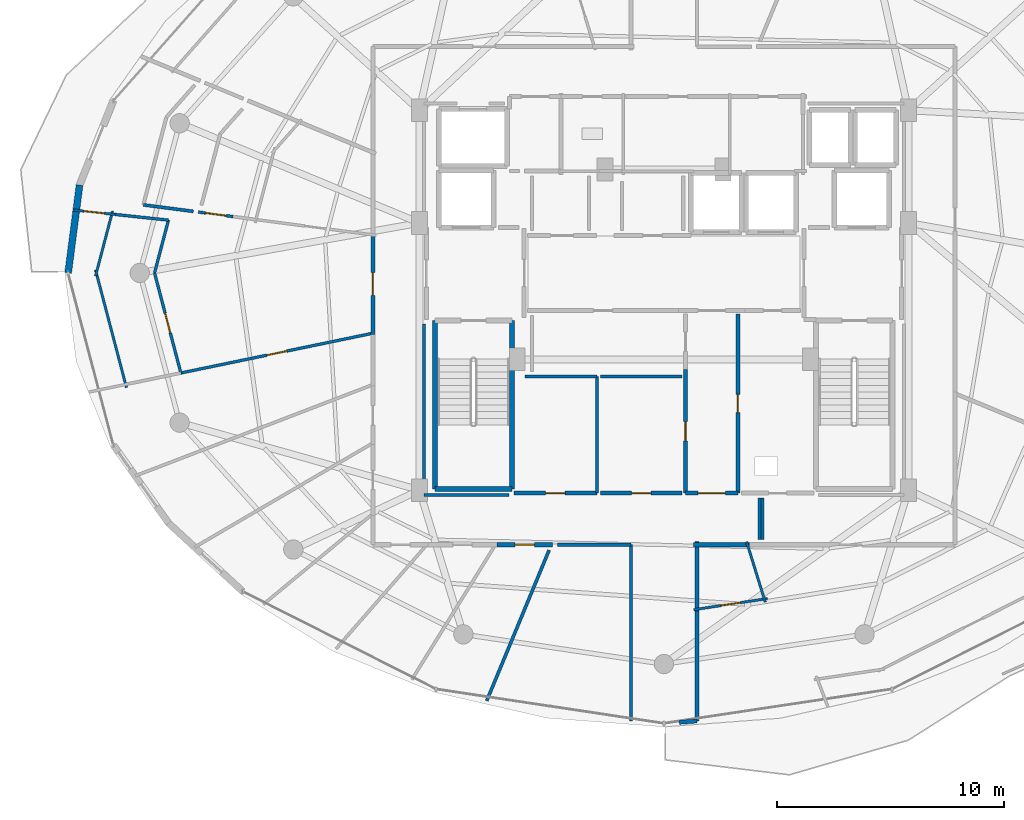
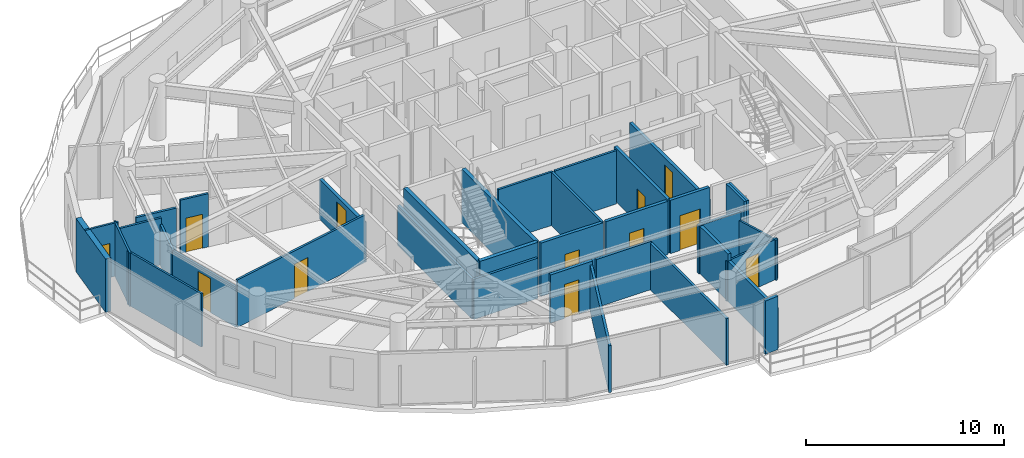
# One storey, part 22 of 30: 36 walls, 12 doors, 12 openings.
"""IFC4 building model written with IfcOpenShell, lengths in metres."""

from ifc_helpers import new_model, si_unit, direction, frame, frame_2d, origin, place, context, subcontext, project, spatial, rectangle, extrude, material, layer, layer_set, type_object, element, fill, save


model = new_model("IFC4")

# Units and contexts
model_context = context("Model", 3, precision=1e-05, world=origin(), true_north=direction((0.0, 1.0)))
body_context = subcontext(model_context, "Body", "Model", "MODEL_VIEW")
ifc_project = project(units=[si_unit("LENGTHUNIT", "METRE"), si_unit("AREAUNIT", "SQUARE_METRE"), si_unit("VOLUMEUNIT", "CUBIC_METRE"), si_unit("PLANEANGLEUNIT", "RADIAN"), si_unit("MASSUNIT", "GRAM", prefix="KILO")], contexts=[model_context])

# Site, building, storey
site_placement = place(None, origin())
site = spatial("IfcSite", under=ifc_project, at=site_placement, CompositionType="ELEMENT")
building_placement = place(site_placement, origin())
building = spatial("IfcBuilding", under=site, at=building_placement, Name="Vorneva Point Tower", CompositionType="ELEMENT")
storey_placement = place(building_placement, frame((0.0, 0.0, 234.25)))
storey = spatial("IfcBuildingStorey", under=building, at=storey_placement, Name="L63", CompositionType="ELEMENT", Elevation=234.25)

# Wall
ifc_material_1 = material(Name="Precast concrete B50 (C40/50)", Category="concrete")
ifc_layer_1 = layer(ifc_material_1, 0.300048828125)
ifc_layer_set_1 = layer_set([ifc_layer_1], Name="Precast concrete B50 (C40/50)")
wall_type_1 = type_object("IfcWallType", Name="WL-EXT-300", PredefinedType="STANDARD", material=ifc_layer_set_1)
wall_1_placement = place(storey_placement, frame((12.303466796875, 29.86474609375, 0.0), z_axis=(0.0, 0.0, 1.0), x_axis=(-0.129167789917, -0.991622751881, 0.0)))
element("IfcWall", 1, at=wall_1_placement, inside=storey, type_object=wall_type_1, Name="L63 Pale-Metal Facade Spandrel Wall 08.2", PredefinedType="STANDARD", context=body_context, shape_type="SweptSolid", body=[
    extrude(rectangle(XDim=3.8974609375, YDim=0.300048828125, at=frame_2d((1.94873046875, 0.0))), origin(), (0.0, 0.0, 1.0), 3.2900390625),
])

# Wall, opening, door
ifc_material_2 = material(Name="Fire-rated acoustic gypsum stud partition", Category="gypsum")
ifc_layer_2 = layer(ifc_material_2, 0.110107421875)
ifc_layer_set_2 = layer_set([ifc_layer_2], Name="Fire-rated acoustic gypsum stud partition")
wall_type_2 = type_object("IfcWallType", Name="WL-PART-110", PredefinedType="PARTITIONING", material=ifc_layer_set_2)
wall_2_placement = place(storey_placement, frame((12.020751953125, 28.768798828125, 0.0), z_axis=(0.0, 0.0, 1.0), x_axis=(0.994395705484, -0.105722187429, 0.0)))
wall_2 = element("IfcWall", 2, at=wall_2_placement, inside=storey, type_object=wall_type_2, Name="L63 Interior Partition 069", PredefinedType="PARTITIONING", context=body_context, shape_type="SweptSolid", body=[
    extrude(rectangle(XDim=1.849609375, YDim=0.110107421875, at=frame_2d((0.9248046875, 0.0))), origin(), (0.0, 0.0, 1.0), 3.2900390625),
])
opening_1_placement = place(wall_2_placement, frame((0.474853515625, 0.0, 0.0)))
opening_1 = element("IfcOpeningElement", 3, at=opening_1_placement, cuts=wall_2, Name="Opening ID-01", PredefinedType="OPENING", context=body_context, shape_type="SweptSolid", body=[
    extrude(rectangle(XDim=0.89990234375, YDim=2.10009765625, at=frame_2d((0.449951171875, 1.050048828125))), frame((0.0, 0.06982421875, 0.0), z_axis=(0.0, -1.0, 0.0), x_axis=(1.0, 0.0, 0.0)), (0.0, 0.0, 1.0), 0.139892578125),
])
ifc_material_3 = material(Name="Engineered oak fire-rated door leaf", Category="wood")
door_type_1 = type_object("IfcDoorType", Name="DR-ROOM-900", OperationType="NOTDEFINED", PredefinedType="DOOR", material=ifc_material_3)
door_1_placement = place(opening_1_placement, origin())
door_1 = element("IfcDoor", 4, at=door_1_placement, inside=storey, type_object=door_type_1, Name="L63 Door Living and Dining Room L63-02 / Kitchen L63-02", OperationType="SINGLE_SWING_LEFT", OverallHeight=2.10009765625, OverallWidth=0.89990234375, PredefinedType="DOOR", context=body_context, shape_type="SweptSolid", body=[
    extrude(rectangle(XDim=0.89990234375, YDim=2.10009765625, at=frame_2d((0.449951171875, 1.050048828125))), frame((0.0, 0.02490234375, 0.0), z_axis=(0.0, -1.0, 0.0), x_axis=(1.0, 0.0, 0.0)), (0.0, 0.0, 1.0), 0.050048828125),
])
fill(opening_1, door_1)

# Walls
wall_3_placement = place(storey_placement, frame((14.364501953125, 20.962646484375, 0.0), z_axis=(0.0, 0.0, 1.0), x_axis=(-0.254288836667, 0.967128320104, 0.0)))
element("IfcWall", 5, at=wall_3_placement, inside=storey, type_object=wall_type_2, Name="L63 Interior Partition 077", PredefinedType="PARTITIONING", context=body_context, shape_type="SweptSolid", body=[
    extrude(rectangle(XDim=5.3486328125, YDim=0.110107421875, at=frame_2d((2.67431640625, 0.0))), origin(), (0.0, 0.0, 1.0), 3.2900390625),
])
wall_4_placement = place(storey_placement, frame((13.00439453125, 25.864501953125, 0.0), z_axis=(0.0, 0.0, 1.0), x_axis=(0.254448582557, 0.967086303716, 0.0)))
element("IfcWall", 6, at=wall_4_placement, inside=storey, type_object=wall_type_2, Name="L63 Interior Partition 078", PredefinedType="PARTITIONING", context=body_context, shape_type="SweptSolid", body=[
    extrude(rectangle(XDim=2.956298828125, YDim=0.110107421875, at=frame_2d((1.47802734375, 0.0))), origin(), (0.0, 0.0, 1.0), 3.2900390625),
])
wall_5_placement = place(storey_placement, frame((41.634765625, 14.183837890625, 0.0), z_axis=(0.0, 0.0, 1.0), x_axis=(0.294283258928, -0.955718244837, 0.0)))
element("IfcWall", 7, at=wall_5_placement, inside=storey, type_object=wall_type_2, Name="L63 Interior Partition 085", PredefinedType="PARTITIONING", context=body_context, shape_type="SweptSolid", body=[
    extrude(rectangle(XDim=2.78076171875, YDim=0.110107421875, at=frame_2d((1.390380859375, 0.0))), origin(), (0.0, 0.0, 1.0), 2.48193359375),
])

# Wall, opening, door
wall_6_placement = place(storey_placement, frame((42.55029296875, 11.680908203125, 0.0), z_axis=(0.0, 0.0, 1.0), x_axis=(-0.98884760338, -0.148930914485, 0.0)))
wall_6 = element("IfcWall", 8, at=wall_6_placement, inside=storey, type_object=wall_type_2, Name="L63 Interior Partition 086", PredefinedType="PARTITIONING", context=body_context, shape_type="SweptSolid", body=[
    extrude(rectangle(XDim=3.275390625, YDim=0.110107421875, at=frame_2d((1.6376953125, 0.0))), origin(), (0.0, 0.0, 1.0), 2.48193359375),
])
opening_2_placement = place(wall_6_placement, frame((1.212646484375, 0.0, 0.0)))
opening_2 = element("IfcOpeningElement", 9, at=opening_2_placement, cuts=wall_6, Name="Opening ID-02", PredefinedType="OPENING", context=body_context, shape_type="SweptSolid", body=[
    extrude(rectangle(XDim=0.85009765625, YDim=2.10009765625, at=frame_2d((0.425048828125, 1.050048828125))), frame((0.0, 0.06982421875, 0.0), z_axis=(0.0, -1.0, 0.0), x_axis=(1.0, 0.0, 0.0)), (0.0, 0.0, 1.0), 0.139892578125),
])
door_type_2 = type_object("IfcDoorType", Name="DR-BATH-850", OperationType="NOTDEFINED", PredefinedType="DOOR", material=ifc_material_3)
door_2_placement = place(opening_2_placement, origin())
door_2 = element("IfcDoor", 10, at=door_2_placement, inside=storey, type_object=door_type_2, Name="L63 Door Studio Apartment L63-03 / Bathroom L63-03", OperationType="SINGLE_SWING_RIGHT", OverallHeight=2.10009765625, OverallWidth=0.85009765625, PredefinedType="DOOR", context=body_context, shape_type="SweptSolid", body=[
    extrude(rectangle(XDim=0.85009765625, YDim=2.10009765625, at=frame_2d((0.425048828125, 1.050048828125))), frame((0.0, 0.02490234375, 0.0), z_axis=(0.0, -1.0, 0.0), x_axis=(1.0, 0.0, 0.0)), (0.0, 0.0, 1.0), 0.050048828125),
])
fill(opening_2, door_2)

# Walls
ifc_layer_3 = layer(ifc_material_2, 0.125)
ifc_layer_set_3 = layer_set([ifc_layer_3], Name="Fire-rated acoustic gypsum stud partition")
wall_type_3 = type_object("IfcWallType", Name="WL-PART-125", PredefinedType="PARTITIONING", material=ifc_layer_set_3)
wall_7_placement = place(storey_placement, frame((35.050048828125, 16.320068359375, 0.0), z_axis=(0.0, 0.0, 1.0), x_axis=(0.0, 1.0, 0.0)))
element("IfcWall", 11, at=wall_7_placement, inside=storey, type_object=wall_type_3, Name="L63 Interior Partition 028", PredefinedType="PARTITIONING", context=body_context, shape_type="SweptSolid", body=[
    extrude(rectangle(XDim=5.1298828125, YDim=0.125, at=frame_2d((2.56494140625, 0.0))), origin(), (0.0, 0.0, 1.0), 3.2900390625),
])
wall_8_placement = place(storey_placement, frame((35.050048828125, 21.449951171875, 0.0), z_axis=(0.0, 0.0, 1.0), x_axis=(-1.0, 0.0, 0.0)))
element("IfcWall", 12, at=wall_8_placement, inside=storey, type_object=wall_type_3, Name="L63 Interior Partition 029", PredefinedType="PARTITIONING", context=body_context, shape_type="SweptSolid", body=[
    extrude(rectangle(XDim=3.155029296875, YDim=0.125, at=frame_2d((1.57763671875, 0.0))), origin(), (0.0, 0.0, 1.0), 3.2900390625),
])
wall_9_placement = place(storey_placement, frame((38.800048828125, 21.449951171875, 0.0), z_axis=(0.0, 0.0, 1.0), x_axis=(-1.0, 0.0, 0.0)))
element("IfcWall", 13, at=wall_9_placement, inside=storey, type_object=wall_type_3, Name="L63 Interior Partition 031", PredefinedType="PARTITIONING", context=body_context, shape_type="SweptSolid", body=[
    extrude(rectangle(XDim=3.60009765625, YDim=0.125, at=frame_2d((1.800048828125, 0.0))), origin(), (0.0, 0.0, 1.0), 3.2900390625),
])

# Wall, opening, door
wall_10_placement = place(storey_placement, frame((19.050048828125, 28.47900390625, 0.0), z_axis=(0.0, 0.0, 1.0), x_axis=(-0.991536647804, 0.129827100648, 0.0)))
wall_10 = element("IfcWall", 14, at=wall_10_placement, inside=storey, type_object=wall_type_3, Name="L63 Interior Partition 067", PredefinedType="PARTITIONING", context=body_context, shape_type="SweptSolid", body=[
    extrude(rectangle(XDim=1.5400390625, YDim=0.125, at=frame_2d((0.77001953125, 0.0))), origin(), (0.0, 0.0, 1.0), 3.2900390625),
])
opening_3_placement = place(wall_10_placement, frame((0.320068359375, 0.0, 0.0)))
opening_3 = element("IfcOpeningElement", 15, at=opening_3_placement, cuts=wall_10, Name="Opening ID-01", PredefinedType="OPENING", context=body_context, shape_type="SweptSolid", body=[
    extrude(rectangle(XDim=0.89990234375, YDim=2.10009765625, at=frame_2d((0.449951171875, 1.050048828125))), frame((0.0, 0.077392578125, 0.0), z_axis=(0.0, -1.0, 0.0), x_axis=(1.0, 0.0, 0.0)), (0.0, 0.0, 1.0), 0.15478515625),
])
door_3_placement = place(opening_3_placement, origin())
door_3 = element("IfcDoor", 16, at=door_3_placement, inside=storey, type_object=door_type_1, Name="L63 Door Living and Dining Room L63-02 / Family Dining Room L63-02", OperationType="SINGLE_SWING_LEFT", OverallHeight=2.10009765625, OverallWidth=0.89990234375, PredefinedType="DOOR", context=body_context, shape_type="SweptSolid", body=[
    extrude(rectangle(XDim=0.89990234375, YDim=2.10009765625, at=frame_2d((0.449951171875, 1.050048828125))), frame((0.0, 0.02490234375, 0.0), z_axis=(0.0, -1.0, 0.0), x_axis=(1.0, 0.0, 0.0)), (0.0, 0.0, 1.0), 0.050048828125),
])
fill(opening_3, door_3)

# Walls
wall_11_placement = place(storey_placement, frame((13.860107421875, 28.572998046875, 0.0), z_axis=(0.0, 0.0, 1.0), x_axis=(0.994349321614, -0.106157555574, 0.0)))
element("IfcWall", 17, at=wall_11_placement, inside=storey, type_object=wall_type_3, Name="L63 Interior Partition 070", PredefinedType="PARTITIONING", context=body_context, shape_type="SweptSolid", body=[
    extrude(rectangle(XDim=2.3642578125, YDim=0.125, at=frame_2d((1.18212890625, 0.0))), origin(), (0.0, 0.0, 1.0), 2.8740234375),
])
wall_12_placement = place(storey_placement, frame((16.2109375, 28.322021484375, 0.0), z_axis=(0.0, 0.0, 1.0), x_axis=(-0.254408212112, -0.96709692462, 0.0)))
element("IfcWall", 18, at=wall_12_placement, inside=storey, type_object=wall_type_3, Name="L63 Interior Partition 071", PredefinedType="PARTITIONING", context=body_context, shape_type="SweptSolid", body=[
    extrude(rectangle(XDim=2.401123046875, YDim=0.125, at=frame_2d((1.20068359375, 0.0))), origin(), (0.0, 0.0, 1.0), 2.48193359375),
])

# Wall, opening, door
wall_13_placement = place(storey_placement, frame((15.60009765625, 26.0, 0.0), z_axis=(0.0, 0.0, 1.0), x_axis=(0.25436383836, -0.967108596661, 0.0)))
wall_13 = element("IfcWall", 19, at=wall_13_placement, inside=storey, type_object=wall_type_3, Name="L63 Interior Partition 072", PredefinedType="PARTITIONING", context=body_context, shape_type="SweptSolid", body=[
    extrude(rectangle(XDim=4.548583984375, YDim=0.125, at=frame_2d((2.2744140625, 0.0))), origin(), (0.0, 0.0, 1.0), 2.48193359375),
])
opening_4_placement = place(wall_13_placement, frame((1.82421875, 0.0, 0.0)))
opening_4 = element("IfcOpeningElement", 20, at=opening_4_placement, cuts=wall_13, Name="Opening ID-01", PredefinedType="OPENING", context=body_context, shape_type="SweptSolid", body=[
    extrude(rectangle(XDim=0.89990234375, YDim=2.10009765625, at=frame_2d((0.449951171875, 1.050048828125))), frame((0.0, 0.077392578125, 0.0), z_axis=(0.0, -1.0, 0.0), x_axis=(1.0, 0.0, 0.0)), (0.0, 0.0, 1.0), 0.15478515625),
])
door_4_placement = place(opening_4_placement, origin())
door_4 = element("IfcDoor", 21, at=door_4_placement, inside=storey, type_object=door_type_1, Name="L63 Door Living and Dining Room L63-02 / Study Room L63-02", OperationType="SINGLE_SWING_RIGHT", OverallHeight=2.10009765625, OverallWidth=0.89990234375, PredefinedType="DOOR", context=body_context, shape_type="SweptSolid", body=[
    extrude(rectangle(XDim=0.89990234375, YDim=2.10009765625, at=frame_2d((0.449951171875, 1.050048828125))), frame((0.0, 0.02490234375, 0.0), z_axis=(0.0, -1.0, 0.0), x_axis=(1.0, 0.0, 0.0)), (0.0, 0.0, 1.0), 0.050048828125),
])
fill(opening_4, door_4)

wall_14_placement = place(storey_placement, frame((16.757080078125, 21.600830078125, 0.0), z_axis=(0.0, 0.0, 1.0), x_axis=(0.979226116247, 0.20277133244, 0.0)))
wall_14 = element("IfcWall", 22, at=wall_14_placement, inside=storey, type_object=wall_type_3, Name="L63 Interior Partition 074", PredefinedType="PARTITIONING", context=body_context, shape_type="SweptSolid", body=[
    extrude(rectangle(XDim=8.6220703125, YDim=0.125, at=frame_2d((4.31103515625, 0.0))), origin(), (0.0, 0.0, 1.0), 2.924072265625),
])
opening_5_placement = place(wall_14_placement, frame((3.861083984375, 0.0, 0.0)))
opening_5 = element("IfcOpeningElement", 23, at=opening_5_placement, cuts=wall_14, Name="Opening ID-01", PredefinedType="OPENING", context=body_context, shape_type="SweptSolid", body=[
    extrude(rectangle(XDim=0.89990234375, YDim=2.10009765625, at=frame_2d((0.449951171875, 1.050048828125))), frame((0.0, 0.077392578125, 0.0), z_axis=(0.0, -1.0, 0.0), x_axis=(1.0, 0.0, 0.0)), (0.0, 0.0, 1.0), 0.15478515625),
])
door_5_placement = place(opening_5_placement, origin())
door_5 = element("IfcDoor", 24, at=door_5_placement, inside=storey, type_object=door_type_1, Name="L63 Door Living and Dining Room L63-02 / Master Bedroom L63-02.1", OperationType="SINGLE_SWING_LEFT", OverallHeight=2.10009765625, OverallWidth=0.89990234375, PredefinedType="DOOR", context=body_context, shape_type="SweptSolid", body=[
    extrude(rectangle(XDim=0.89990234375, YDim=2.10009765625, at=frame_2d((0.449951171875, 1.050048828125))), frame((0.0, 0.02490234375, 0.0), z_axis=(0.0, -1.0, 0.0), x_axis=(1.0, 0.0, 0.0)), (0.0, 0.0, 1.0), 0.050048828125),
])
fill(opening_5, door_5)

# Walls
ifc_layer_4 = layer(ifc_material_2, 0.139892578125)
ifc_layer_set_4 = layer_set([ifc_layer_4], Name="Fire-rated acoustic gypsum stud partition")
wall_type_4 = type_object("IfcWallType", Name="WL-PART-140", PredefinedType="PARTITIONING", material=ifc_layer_set_4)
wall_15_placement = place(storey_placement, frame((33.330078125, 14.050048828125, 0.0), z_axis=(0.0, 0.0, 1.0), x_axis=(1.0, 0.0, 0.0)))
element("IfcWall", 25, at=wall_15_placement, inside=storey, type_object=wall_type_4, Name="L63 Interior Closure Partition 104", PredefinedType="PARTITIONING", context=body_context, shape_type="SweptSolid", body=[
    extrude(rectangle(XDim=3.219970703125, YDim=0.139892578125, at=frame_2d((1.60986328125, 0.0))), origin(), (0.0, 0.0, 1.0), 2.971923828125),
])
wall_16_placement = place(storey_placement, frame((36.550048828125, 14.050048828125, 0.0), z_axis=(0.0, 0.0, 1.0), x_axis=(0.0, -1.0, 0.0)))
element("IfcWall", 26, at=wall_16_placement, inside=storey, type_object=wall_type_4, Name="L63 Interior Closure Partition 105", PredefinedType="PARTITIONING", context=body_context, shape_type="SweptSolid", body=[
    extrude(rectangle(XDim=7.7509765625, YDim=0.139892578125, at=frame_2d((3.87548828125, 0.0))), origin(), (0.0, 0.0, 1.0), 2.8740234375),
])
wall_17_placement = place(storey_placement, frame((42.340087890625, 14.27001953125, 0.0), z_axis=(0.0, 0.0, 1.0), x_axis=(0.0, 1.0, 0.0)))
element("IfcWall", 27, at=wall_17_placement, inside=storey, type_object=wall_type_4, Name="L63 Interior Closure Partition 108", PredefinedType="PARTITIONING", context=body_context, shape_type="SweptSolid", body=[
    extrude(rectangle(XDim=1.830078125, YDim=0.139892578125, at=frame_2d((0.9150390625, 0.0))), origin(), (0.0, 0.0, 1.0), 3.2900390625),
])
wall_18_placement = place(storey_placement, frame((27.449951171875, 23.75390625, 0.0), z_axis=(0.0, 0.0, 1.0), x_axis=(0.0, -1.0, 0.0)))
element("IfcWall", 28, at=wall_18_placement, inside=storey, type_object=wall_type_4, Name="L63 Interior Closure Partition 116", PredefinedType="PARTITIONING", context=body_context, shape_type="SweptSolid", body=[
    extrude(rectangle(XDim=7.513916015625, YDim=0.139892578125, at=frame_2d((3.7568359375, 0.0))), origin(), (0.0, 0.0, 1.0), 2.48193359375),
])
wall_19_placement = place(storey_placement, frame((27.449951171875, 16.239990234375, 0.0), z_axis=(0.0, 0.0, 1.0), x_axis=(1.0, 0.0, 0.0)))
element("IfcWall", 29, at=wall_19_placement, inside=storey, type_object=wall_type_4, Name="L63 Interior Closure Partition 117", PredefinedType="PARTITIONING", context=body_context, shape_type="SweptSolid", body=[
    extrude(rectangle(XDim=3.7451171875, YDim=0.139892578125, at=frame_2d((1.87255859375, 0.0))), origin(), (0.0, 0.0, 1.0), 2.48193359375),
])
wall_20_placement = place(storey_placement, frame((42.199951171875, 16.10009765625, 0.0), z_axis=(0.0, 0.0, 1.0), x_axis=(0.0, -1.0, 0.0)))
element("IfcWall", 30, at=wall_20_placement, inside=storey, type_object=wall_type_4, Name="L63 Interior Closure Partition 118", PredefinedType="PARTITIONING", context=body_context, shape_type="SweptSolid", body=[
    extrude(rectangle(XDim=1.830078125, YDim=0.139892578125, at=frame_2d((0.9150390625, 0.0))), origin(), (0.0, 0.0, 1.0), 3.2900390625),
])
wall_21_placement = place(storey_placement, frame((17.304931640625, 28.70703125, 0.0), z_axis=(0.0, 0.0, 1.0), x_axis=(-0.991583198316, 0.129471081011, 0.0)))
element("IfcWall", 31, at=wall_21_placement, inside=storey, type_object=wall_type_4, Name="L63 Interior Closure Partition 120", PredefinedType="PARTITIONING", context=body_context, shape_type="SweptSolid", body=[
    extrude(rectangle(XDim=2.215576171875, YDim=0.139892578125, at=frame_2d((1.10791015625, 0.0))), origin(), (0.0, 0.0, 1.0), 2.8740234375),
])
wall_22_placement = place(storey_placement, frame((30.20703125, 7.18701171875, 0.0), z_axis=(0.0, 0.0, 1.0), x_axis=(0.382679691634, 0.923881081964, 0.0)))
element("IfcWall", 32, at=wall_22_placement, inside=storey, type_object=wall_type_4, Name="L63 Interior Closure Partition 125", PredefinedType="PARTITIONING", context=body_context, shape_type="SweptSolid", body=[
    extrude(rectangle(XDim=7.167724609375, YDim=0.139892578125, at=frame_2d((3.583984375, 0.0))), origin(), (0.0, 0.0, 1.0), 2.8740234375),
])

# Wall, opening, door
ifc_material_4 = material(Name="Autoclaved aerated concrete blockwork", Category="masonry")
ifc_layer_5 = layer(ifc_material_4, 0.179931640625)
ifc_layer_set_5 = layer_set([ifc_layer_5], Name="Autoclaved aerated concrete blockwork")
wall_type_5 = type_object("IfcWallType", Name="WL-PART-180", PredefinedType="PARTITIONING", material=ifc_layer_set_5)
wall_23_placement = place(storey_placement, frame((41.25, 16.320068359375, 0.0), z_axis=(0.0, 0.0, 1.0), x_axis=(0.0, 1.0, 0.0)))
wall_23 = element("IfcWall", 33, at=wall_23_placement, inside=storey, type_object=wall_type_5, Name="L63 Interior Partition 015", PredefinedType="PARTITIONING", context=body_context, shape_type="SweptSolid", body=[
    extrude(rectangle(XDim=7.8798828125, YDim=0.179931640625, at=frame_2d((3.93994140625, 0.0))), origin(), (0.0, 0.0, 1.0), 2.48193359375),
])
opening_6_placement = place(wall_23_placement, frame((3.5400390625, 0.0, 0.0)))
opening_6 = element("IfcOpeningElement", 34, at=opening_6_placement, cuts=wall_23, Name="Opening RD-01", PredefinedType="OPENING", context=body_context, shape_type="SweptSolid", body=[
    extrude(rectangle(XDim=0.800048828125, YDim=2.050048828125, at=frame_2d((0.39990234375, 1.02490234375))), frame((0.0, 0.10498046875, 0.0), z_axis=(0.0, -1.0, 0.0), x_axis=(1.0, 0.0, 0.0)), (0.0, 0.0, 1.0), 0.209716796875),
])
ifc_material_5 = material(Name="Fire-rated powder-coated steel", Category="steel")
door_type_3 = type_object("IfcDoorType", Name="DR-RSR-800", OperationType="SINGLE_SWING_LEFT", PredefinedType="DOOR", material=ifc_material_5)
door_6_placement = place(opening_6_placement, origin())
door_6 = element("IfcDoor", 35, at=door_6_placement, inside=storey, type_object=door_type_3, Name="L63 Door Core Service Lobby / Electrical Riser", OperationType="SINGLE_SWING_LEFT", OverallHeight=2.050048828125, OverallWidth=0.800048828125, PredefinedType="DOOR", context=body_context, shape_type="SweptSolid", body=[
    extrude(rectangle(XDim=0.800048828125, YDim=2.050048828125, at=frame_2d((0.39990234375, 1.02490234375))), frame((0.0, 0.02490234375, 0.0), z_axis=(0.0, -1.0, 0.0), x_axis=(1.0, 0.0, 0.0)), (0.0, 0.0, 1.0), 0.050048828125),
])
fill(opening_6, door_6)

wall_24_placement = place(storey_placement, frame((38.949951171875, 21.7548828125, 0.0), z_axis=(0.0, 0.0, 1.0), x_axis=(0.0, -1.0, 0.0)))
wall_24 = element("IfcWall", 36, at=wall_24_placement, inside=storey, type_object=wall_type_5, Name="L63 Interior Partition 016", PredefinedType="PARTITIONING", context=body_context, shape_type="SweptSolid", body=[
    extrude(rectangle(XDim=5.434814453125, YDim=0.179931640625, at=frame_2d((2.71728515625, 0.0))), origin(), (0.0, 0.0, 1.0), 3.2900390625),
])
opening_7_placement = place(wall_24_placement, frame((2.29248046875, 0.0, 0.0)))
opening_7 = element("IfcOpeningElement", 37, at=opening_7_placement, cuts=wall_24, Name="Opening ID-02", PredefinedType="OPENING", context=body_context, shape_type="SweptSolid", body=[
    extrude(rectangle(XDim=0.85009765625, YDim=2.10009765625, at=frame_2d((0.425048828125, 1.050048828125))), frame((0.0, 0.10498046875, 0.0), z_axis=(0.0, -1.0, 0.0), x_axis=(1.0, 0.0, 0.0)), (0.0, 0.0, 1.0), 0.209716796875),
])
door_7_placement = place(opening_7_placement, origin())
door_7 = element("IfcDoor", 38, at=door_7_placement, inside=storey, type_object=door_type_2, Name="L63 Door Core Service Lobby / Tenant Equipment Store", OperationType="SINGLE_SWING_RIGHT", OverallHeight=2.10009765625, OverallWidth=0.85009765625, PredefinedType="DOOR", context=body_context, shape_type="SweptSolid", body=[
    extrude(rectangle(XDim=0.85009765625, YDim=2.10009765625, at=frame_2d((0.425048828125, 1.050048828125))), frame((0.0, 0.02490234375, 0.0), z_axis=(0.0, -1.0, 0.0), x_axis=(1.0, 0.0, 0.0)), (0.0, 0.0, 1.0), 0.050048828125),
])
fill(opening_7, door_7)

wall_25_placement = place(storey_placement, frame((38.949951171875, 16.320068359375, 0.0), z_axis=(0.0, 0.0, 1.0), x_axis=(1.0, 0.0, 0.0)))
wall_25 = element("IfcWall", 39, at=wall_25_placement, inside=storey, type_object=wall_type_5, Name="L63 Interior Partition 018", PredefinedType="PARTITIONING", context=body_context, shape_type="SweptSolid", body=[
    extrude(rectangle(XDim=2.300048828125, YDim=0.179931640625, at=frame_2d((1.14990234375, 0.0))), origin(), (0.0, 0.0, 1.0), 3.2900390625),
])
opening_8_placement = place(wall_25_placement, frame((0.550048828125, 0.0, 0.0)))
opening_8 = element("IfcOpeningElement", 40, at=opening_8_placement, cuts=wall_25, Name="Opening FD-02", PredefinedType="OPENING", context=body_context, shape_type="SweptSolid", body=[
    extrude(rectangle(XDim=1.199951171875, YDim=2.14990234375, at=frame_2d((0.60009765625, 1.074951171875))), frame((0.0, 0.10498046875, 0.0), z_axis=(0.0, -1.0, 0.0), x_axis=(1.0, 0.0, 0.0)), (0.0, 0.0, 1.0), 0.209716796875),
])
door_type_4 = type_object("IfcDoorType", Name="DR-FFL-1200", OperationType="NOTDEFINED", PredefinedType="DOOR", material=ifc_material_5)
door_8_placement = place(opening_8_placement, origin())
door_8 = element("IfcDoor", 41, at=door_8_placement, inside=storey, type_object=door_type_4, Name="L63 Door Core Service Lobby / L63 Circulation Corridor", OperationType="SINGLE_SWING_RIGHT", OverallHeight=2.14990234375, OverallWidth=1.199951171875, PredefinedType="DOOR", context=body_context, shape_type="SweptSolid", body=[
    extrude(rectangle(XDim=1.199951171875, YDim=2.14990234375, at=frame_2d((0.60009765625, 1.074951171875))), frame((0.0, 0.02490234375, 0.0), z_axis=(0.0, -1.0, 0.0), x_axis=(1.0, 0.0, 0.0)), (0.0, 0.0, 1.0), 0.050048828125),
])
fill(opening_8, door_8)

wall_26_placement = place(storey_placement, frame((31.39990234375, 16.320068359375, 0.0), z_axis=(0.0, 0.0, 1.0), x_axis=(1.0, 0.0, 0.0)))
wall_26 = element("IfcWall", 42, at=wall_26_placement, inside=storey, type_object=wall_type_5, Name="L63 Interior Partition 030", PredefinedType="PARTITIONING", context=body_context, shape_type="SweptSolid", body=[
    extrude(rectangle(XDim=3.650146484375, YDim=0.179931640625, at=frame_2d((1.8251953125, 0.0))), origin(), (0.0, 0.0, 1.0), 3.2900390625),
])
opening_9_placement = place(wall_26_placement, frame((1.39990234375, 0.0, 0.0)))
opening_9 = element("IfcOpeningElement", 43, at=opening_9_placement, cuts=wall_26, Name="Opening ID-02", PredefinedType="OPENING", context=body_context, shape_type="SweptSolid", body=[
    extrude(rectangle(XDim=0.85009765625, YDim=2.10009765625, at=frame_2d((0.425048828125, 1.050048828125))), frame((0.0, 0.10498046875, 0.0), z_axis=(0.0, -1.0, 0.0), x_axis=(1.0, 0.0, 0.0)), (0.0, 0.0, 1.0), 0.209716796875),
])
door_9_placement = place(opening_9_placement, origin())
door_9 = element("IfcDoor", 44, at=door_9_placement, inside=storey, type_object=door_type_2, Name="L63 Door Cleaners Store / L63 Circulation Corridor", OperationType="SINGLE_SWING_LEFT", OverallHeight=2.10009765625, OverallWidth=0.85009765625, PredefinedType="DOOR", context=body_context, shape_type="SweptSolid", body=[
    extrude(rectangle(XDim=0.85009765625, YDim=2.10009765625, at=frame_2d((0.425048828125, 1.050048828125))), frame((0.0, 0.02490234375, 0.0), z_axis=(0.0, -1.0, 0.0), x_axis=(1.0, 0.0, 0.0)), (0.0, 0.0, 1.0), 0.050048828125),
])
fill(opening_9, door_9)

wall_27_placement = place(storey_placement, frame((35.199951171875, 16.320068359375, 0.0), z_axis=(0.0, 0.0, 1.0), x_axis=(1.0, 0.0, 0.0)))
wall_27 = element("IfcWall", 45, at=wall_27_placement, inside=storey, type_object=wall_type_5, Name="L63 Interior Partition 032", PredefinedType="PARTITIONING", context=body_context, shape_type="SweptSolid", body=[
    extrude(rectangle(XDim=3.60009765625, YDim=0.179931640625, at=frame_2d((1.800048828125, 0.0))), origin(), (0.0, 0.0, 1.0), 3.2900390625),
])
opening_10_placement = place(wall_27_placement, frame((1.375, 0.0, 0.0)))
opening_10 = element("IfcOpeningElement", 46, at=opening_10_placement, cuts=wall_27, Name="Opening ID-02", PredefinedType="OPENING", context=body_context, shape_type="SweptSolid", body=[
    extrude(rectangle(XDim=0.85009765625, YDim=2.10009765625, at=frame_2d((0.425048828125, 1.050048828125))), frame((0.0, 0.10498046875, 0.0), z_axis=(0.0, -1.0, 0.0), x_axis=(1.0, 0.0, 0.0)), (0.0, 0.0, 1.0), 0.209716796875),
])
door_10_placement = place(opening_10_placement, origin())
door_10 = element("IfcDoor", 47, at=door_10_placement, inside=storey, type_object=door_type_2, Name="L63 Door Tenant Equipment Store / L63 Circulation Corridor", OperationType="SINGLE_SWING_RIGHT", OverallHeight=2.10009765625, OverallWidth=0.85009765625, PredefinedType="DOOR", context=body_context, shape_type="SweptSolid", body=[
    extrude(rectangle(XDim=0.85009765625, YDim=2.10009765625, at=frame_2d((0.425048828125, 1.050048828125))), frame((0.0, 0.02490234375, 0.0), z_axis=(0.0, -1.0, 0.0), x_axis=(1.0, 0.0, 0.0)), (0.0, 0.0, 1.0), 0.050048828125),
])
fill(opening_10, door_10)

wall_28_placement = place(storey_placement, frame((25.199951171875, 27.735107421875, 0.0), z_axis=(0.0, 0.0, 1.0), x_axis=(0.0, -1.0, 0.0)))
wall_28 = element("IfcWall", 48, at=wall_28_placement, inside=storey, type_object=wall_type_5, Name="L63 Interior Partition 039", PredefinedType="PARTITIONING", context=body_context, shape_type="SweptSolid", body=[
    extrude(rectangle(XDim=4.447021484375, YDim=0.179931640625, at=frame_2d((2.2236328125, 0.0))), origin(), (0.0, 0.0, 1.0), 2.48193359375),
])
opening_11_placement = place(wall_28_placement, frame((1.723388671875, 0.0, 0.0)))
opening_11 = element("IfcOpeningElement", 49, at=opening_11_placement, cuts=wall_28, Name="Opening UD-01", PredefinedType="OPENING", context=body_context, shape_type="SweptSolid", body=[
    extrude(rectangle(XDim=1.0, YDim=2.14990234375, at=frame_2d((0.5, 1.074951171875))), frame((0.0, 0.10498046875, 0.0), z_axis=(0.0, -1.0, 0.0), x_axis=(1.0, 0.0, 0.0)), (0.0, 0.0, 1.0), 0.209716796875),
])
door_type_5 = type_object("IfcDoorType", Name="DR-UNIT-1000", OperationType="NOTDEFINED", PredefinedType="DOOR", material=ifc_material_3)
door_11_placement = place(opening_11_placement, origin())
door_11 = element("IfcDoor", 50, at=door_11_placement, inside=storey, type_object=door_type_5, Name="L63 Door L63 Circulation Corridor / Living and Dining Room L63-02", OperationType="SINGLE_SWING_RIGHT", OverallHeight=2.14990234375, OverallWidth=1.0, PredefinedType="DOOR", context=body_context, shape_type="SweptSolid", body=[
    extrude(rectangle(XDim=1.0, YDim=2.14990234375, at=frame_2d((0.5, 1.074951171875))), frame((0.0, 0.02490234375, 0.0), z_axis=(0.0, -1.0, 0.0), x_axis=(1.0, 0.0, 0.0)), (0.0, 0.0, 1.0), 0.050048828125),
])
fill(opening_11, door_11)

wall_29_placement = place(storey_placement, frame((30.65087890625, 14.050048828125, 0.0), z_axis=(0.0, 0.0, 1.0), x_axis=(1.0, 0.0, 0.0)))
wall_29 = element("IfcWall", 51, at=wall_29_placement, inside=storey, type_object=wall_type_5, Name="L63 Interior Partition 047", PredefinedType="PARTITIONING", context=body_context, shape_type="SweptSolid", body=[
    extrude(rectangle(XDim=2.459228515625, YDim=0.179931640625, at=frame_2d((1.2294921875, 0.0))), origin(), (0.0, 0.0, 1.0), 2.971923828125),
])
opening_12_placement = place(wall_29_placement, frame((0.804443359375, 0.0, 0.0)))
opening_12 = element("IfcOpeningElement", 52, at=opening_12_placement, cuts=wall_29, Name="Opening ID-02", PredefinedType="OPENING", context=body_context, shape_type="SweptSolid", body=[
    extrude(rectangle(XDim=0.85009765625, YDim=2.10009765625, at=frame_2d((0.425048828125, 1.050048828125))), frame((0.0, 0.10498046875, 0.0), z_axis=(0.0, -1.0, 0.0), x_axis=(1.0, 0.0, 0.0)), (0.0, 0.0, 1.0), 0.209716796875),
])
door_12_placement = place(opening_12_placement, origin())
door_12 = element("IfcDoor", 53, at=door_12_placement, inside=storey, type_object=door_type_2, Name="L63 Access Door L63 Circulation Corridor", OperationType="SINGLE_SWING_RIGHT", OverallHeight=2.10009765625, OverallWidth=0.85009765625, PredefinedType="DOOR", context=body_context, shape_type="SweptSolid", body=[
    extrude(rectangle(XDim=0.85009765625, YDim=2.10009765625, at=frame_2d((0.425048828125, 1.050048828125))), frame((0.0, 0.02490234375, 0.0), z_axis=(0.0, -1.0, 0.0), x_axis=(1.0, 0.0, 0.0)), (0.0, 0.0, 1.0), 0.050048828125),
])
fill(opening_12, door_12)

# Walls
wall_30_placement = place(storey_placement, frame((38.6708984375, 6.239990234375, 0.0), z_axis=(0.0, 0.0, 1.0), x_axis=(0.997136622012, 0.0756211415, 0.0)))
element("IfcWall", 54, at=wall_30_placement, inside=storey, type_object=wall_type_5, Name="L63 Interior Partition 048", PredefinedType="PARTITIONING", context=body_context, shape_type="SweptSolid", body=[
    extrude(rectangle(XDim=0.78125, YDim=0.179931640625, at=frame_2d((0.390625, 0.0))), origin(), (0.0, 0.0, 1.0), 3.2900390625),
])
wall_31_placement = place(storey_placement, frame((39.449951171875, 6.299072265625, 0.0), z_axis=(0.0, 0.0, 1.0), x_axis=(0.0, 1.0, 0.0)))
element("IfcWall", 55, at=wall_31_placement, inside=storey, type_object=wall_type_5, Name="L63 Interior Partition 049", PredefinedType="PARTITIONING", context=body_context, shape_type="SweptSolid", body=[
    extrude(rectangle(XDim=4.975830078125, YDim=0.179931640625, at=frame_2d((2.48779296875, 0.0))), origin(), (0.0, 0.0, 1.0), 2.48193359375),
])
wall_32_placement = place(storey_placement, frame((39.449951171875, 11.135009765625, 0.0), z_axis=(0.0, 0.0, 1.0), x_axis=(0.0, 1.0, 0.0)))
element("IfcWall", 56, at=wall_32_placement, inside=storey, type_object=wall_type_5, Name="L63 Interior Partition 052", PredefinedType="PARTITIONING", context=body_context, shape_type="SweptSolid", body=[
    extrude(rectangle(XDim=3.054931640625, YDim=0.179931640625, at=frame_2d((1.52734375, 0.0))), origin(), (0.0, 0.0, 1.0), 2.924072265625),
])
wall_33_placement = place(storey_placement, frame((39.31005859375, 14.050048828125, 0.0), z_axis=(0.0, 0.0, 1.0), x_axis=(1.0, 0.0, 0.0)))
element("IfcWall", 57, at=wall_33_placement, inside=storey, type_object=wall_type_5, Name="L63 Interior Partition 053", PredefinedType="PARTITIONING", context=body_context, shape_type="SweptSolid", body=[
    extrude(rectangle(XDim=2.446044921875, YDim=0.179931640625, at=frame_2d((1.22314453125, 0.0))), origin(), (0.0, 0.0, 1.0), 2.971923828125),
])
ifc_material_6 = material(Name="Concrete B50 (C40/50)", Category="concrete")
ifc_layer_6 = layer(ifc_material_6, 0.219970703125)
ifc_layer_set_6 = layer_set([ifc_layer_6], Name="Concrete B50 (C40/50)")
wall_type_6 = type_object("IfcWallType", Name="WL-SHFT-220", PredefinedType="SOLIDWALL", material=ifc_layer_set_6)
wall_34_placement = place(storey_placement, frame((31.31005859375, 23.909912109375, 0.0), z_axis=(0.0, 0.0, 1.0), x_axis=(0.0, -1.0, 0.0)))
element("IfcWall", 58, at=wall_34_placement, inside=storey, type_object=wall_type_6, Name="L63 Exit Stair ST1 Shaft Wall right", PredefinedType="SOLIDWALL", context=body_context, shape_type="SweptSolid", body=[
    extrude(rectangle(XDim=7.419921875, YDim=0.219970703125, at=frame_2d((3.7099609375, 0.0))), origin(), (0.0, 0.0, 1.0), 3.2900390625),
])
wall_35_placement = place(storey_placement, frame((31.31005859375, 16.489990234375, 0.0), z_axis=(0.0, 0.0, 1.0), x_axis=(-1.0, 0.0, 0.0)))
element("IfcWall", 59, at=wall_35_placement, inside=storey, type_object=wall_type_6, Name="L63 Exit Stair ST1 Shaft Wall far", PredefinedType="SOLIDWALL", context=body_context, shape_type="SweptSolid", body=[
    extrude(rectangle(XDim=3.3701171875, YDim=0.219970703125, at=frame_2d((1.68505859375, 0.0))), origin(), (0.0, 0.0, 1.0), 3.2900390625),
])
wall_36_placement = place(storey_placement, frame((27.93994140625, 16.489990234375, 0.0), z_axis=(0.0, 0.0, 1.0), x_axis=(0.0, 1.0, 0.0)))
element("IfcWall", 60, at=wall_36_placement, inside=storey, type_object=wall_type_6, Name="L63 Exit Stair ST1 Shaft Wall left", PredefinedType="SOLIDWALL", context=body_context, shape_type="SweptSolid", body=[
    extrude(rectangle(XDim=7.419921875, YDim=0.219970703125, at=frame_2d((3.7099609375, 0.0))), origin(), (0.0, 0.0, 1.0), 3.2900390625),
])

save(model, "model.ifc")
